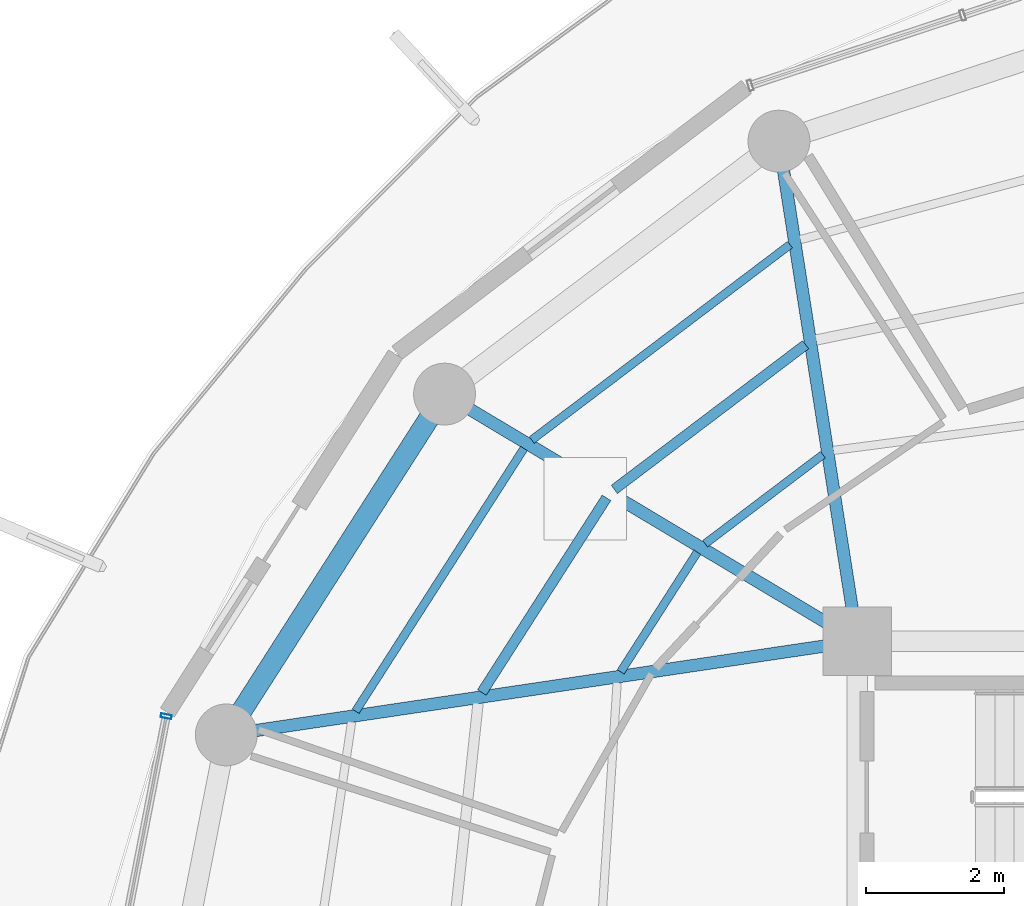
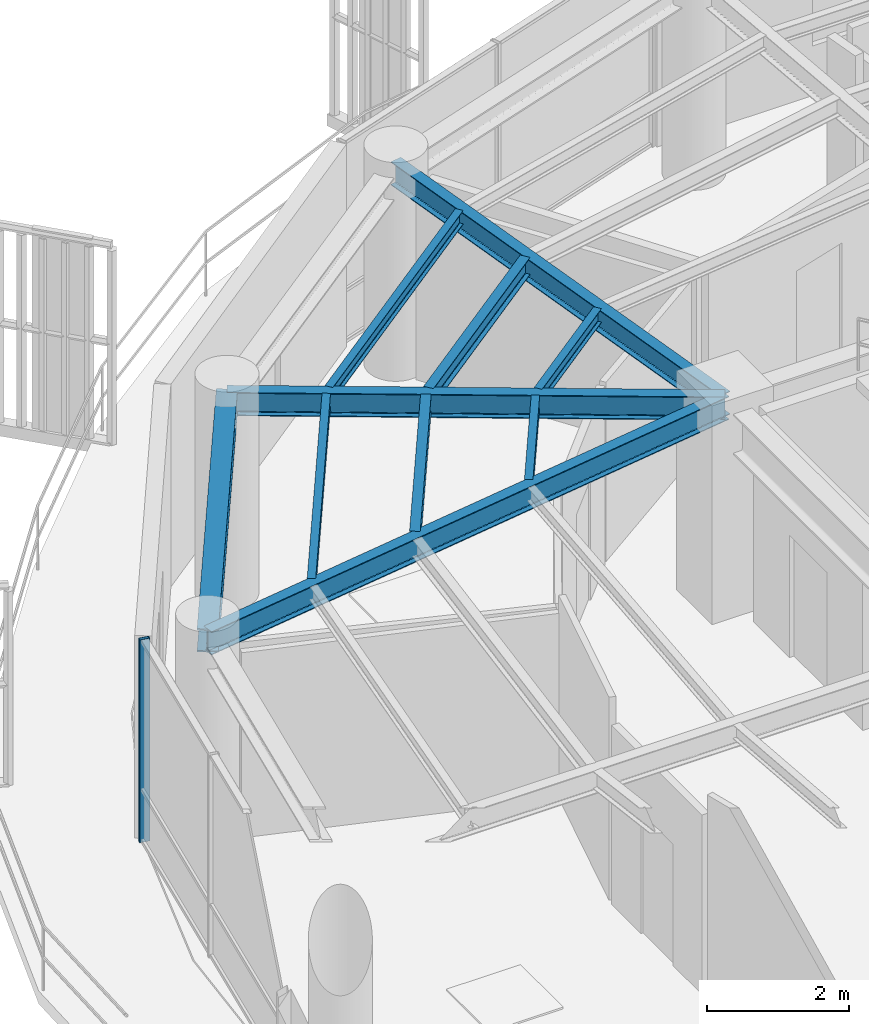
# One storey, part 8 of 23: 10 beams, 1 member, 1 element without a shape of its own.
"""IFC4 building model written with IfcOpenShell, lengths in metres."""

from ifc_helpers import new_model, si_unit, direction, frame, origin, origin_2d, place, context, subcontext, project, spatial, hollow_rectangle, i_section, extrude, material, layer, layer_set, material_profile, profile_set, type_object, element, aggregate, save


model = new_model("IFC4")

# Units and contexts
model_context = context("Model", 3, precision=1e-05, world=origin(), true_north=direction((0.0, 1.0)))
body_context = subcontext(model_context, "Body", "Model", "MODEL_VIEW")
ifc_project = project(units=[si_unit("LENGTHUNIT", "METRE"), si_unit("AREAUNIT", "SQUARE_METRE"), si_unit("VOLUMEUNIT", "CUBIC_METRE"), si_unit("PLANEANGLEUNIT", "RADIAN"), si_unit("MASSUNIT", "GRAM", prefix="KILO")], contexts=[model_context])

# Site, building, storey
site_placement = place(None, origin())
site = spatial("IfcSite", under=ifc_project, at=site_placement, CompositionType="ELEMENT")
building_placement = place(site_placement, origin())
building = spatial("IfcBuilding", under=site, at=building_placement, Name="Kelanora Arch Commons", CompositionType="ELEMENT")
storey_placement = place(building_placement, frame((0.0, 0.0, 252.449951171875)))
storey = spatial("IfcBuildingStorey", under=building, at=storey_placement, Name="L64", CompositionType="ELEMENT", Elevation=252.449951171875)

# Beams
ifc_material_1 = material(Name="Steel S355", Category="steel")
ifc_material_profile_1 = material_profile(ifc_material_1, i_section(OverallWidth=0.14990234375, OverallDepth=0.300048828125, WebThickness=0.007080078125, FlangeThickness=0.0107421875, FilletRadius=0.014892578125, at=origin_2d()), Name="IPE300")
ifc_profile_set_1 = profile_set([ifc_material_profile_1], Name="Steel S355")
beam_type_1 = type_object("IfcBeamType", Name="BM-JST-01", PredefinedType="JOIST", material=ifc_profile_set_1)
beam_1_placement = place(storey_placement, frame((65.248291015625, 69.31201171875, 3.340087890625), z_axis=(-0.797499198801, -0.603320004568, 0.0), x_axis=(0.603320004568, -0.797499198801, 0.0)))
element("IfcBeam", 1, at=beam_1_placement, inside=storey, type_object=beam_type_1, Name="Secondary Chord Joist BJB-12 L64", PredefinedType="JOIST", context=body_context, shape_type="SweptSolid", body=[
    extrude(i_section(OverallWidth=0.14990234375, OverallDepth=0.300048828125, WebThickness=0.007080078125, FlangeThickness=0.0107421875, FilletRadius=0.014892578125, at=origin_2d()), origin(), (0.0, 0.0, 1.0), 3.489013671875),
])
beam_2_placement = place(storey_placement, frame((62.352294921875, 67.084228515625, 3.340087890625), z_axis=(-0.539321586177, -0.842099891155, 0.0), x_axis=(0.842099891155, -0.539321586177, 0.0)))
element("IfcBeam", 2, at=beam_2_placement, inside=storey, type_object=beam_type_1, Name="Secondary Chord Joist BJB-14 L64", PredefinedType="JOIST", context=body_context, shape_type="SweptSolid", body=[
    extrude(i_section(OverallWidth=0.14990234375, OverallDepth=0.300048828125, WebThickness=0.007080078125, FlangeThickness=0.0107421875, FilletRadius=0.014892578125, at=origin_2d()), origin(), (0.0, 0.0, 1.0), 3.361572265625),
])
ifc_material_profile_2 = material_profile(ifc_material_1, i_section(OverallWidth=0.1201171875, OverallDepth=0.239990234375, WebThickness=0.006103515625, FlangeThickness=0.009765625, FilletRadius=0.014892578125, at=origin_2d()), Name="IPE240")
ifc_profile_set_2 = profile_set([ifc_material_profile_2], Name="Steel S355")
beam_type_2 = type_object("IfcBeamType", Name="BM-JST-02", PredefinedType="JOIST", material=ifc_profile_set_2)
beam_3_placement = place(storey_placement, frame((65.4990234375, 67.712158203125, 3.3701171875), z_axis=(-0.797509883882, -0.603305880222, 0.0), x_axis=(0.603305880222, -0.797509883882, 0.0)))
element("IfcBeam", 3, at=beam_3_placement, inside=storey, type_object=beam_type_2, Name="Secondary Chord Joist BJA-12 L64", PredefinedType="JOIST", context=body_context, shape_type="SweptSolid", body=[
    extrude(i_section(OverallWidth=0.1201171875, OverallDepth=0.239990234375, WebThickness=0.006103515625, FlangeThickness=0.009765625, FilletRadius=0.014892578125, at=origin_2d()), origin(), (0.0, 0.0, 1.0), 2.147216796875),
])
beam_4_placement = place(storey_placement, frame((65.020263671875, 70.766357421875, 3.3701171875), z_axis=(-0.79752302984, -0.60328850219, 0.0), x_axis=(0.60328850219, -0.79752302984, 0.0)))
element("IfcBeam", 4, at=beam_4_placement, inside=storey, type_object=beam_type_2, Name="Secondary Chord Joist BJC-12 L64", PredefinedType="JOIST", context=body_context, shape_type="SweptSolid", body=[
    extrude(i_section(OverallWidth=0.1201171875, OverallDepth=0.239990234375, WebThickness=0.006103515625, FlangeThickness=0.009765625, FilletRadius=0.014892578125, at=origin_2d()), origin(), (0.0, 0.0, 1.0), 4.70849609375),
])
beam_5_placement = place(storey_placement, frame((63.6728515625, 66.293701171875, 3.3701171875), z_axis=(-0.539311810315, -0.842106152011, 0.0), x_axis=(0.842106152011, -0.539311810315, 0.0)))
element("IfcBeam", 5, at=beam_5_placement, inside=storey, type_object=beam_type_2, Name="Secondary Chord Joist BJA-14 L64", PredefinedType="JOIST", context=body_context, shape_type="SweptSolid", body=[
    extrude(i_section(OverallWidth=0.1201171875, OverallDepth=0.239990234375, WebThickness=0.006103515625, FlangeThickness=0.009765625, FilletRadius=0.014892578125, at=origin_2d()), origin(), (0.0, 0.0, 1.0), 2.06640625),
])
beam_6_placement = place(storey_placement, frame((61.151611328125, 67.802978515625, 3.3701171875), z_axis=(-0.539288735289, -0.842120929552, 0.0), x_axis=(0.842120929552, -0.539288735289, 0.0)))
element("IfcBeam", 6, at=beam_6_placement, inside=storey, type_object=beam_type_2, Name="Secondary Chord Joist BJC-14 L64", PredefinedType="JOIST", context=body_context, shape_type="SweptSolid", body=[
    extrude(i_section(OverallWidth=0.1201171875, OverallDepth=0.239990234375, WebThickness=0.006103515625, FlangeThickness=0.009765625, FilletRadius=0.014892578125, at=origin_2d()), origin(), (0.0, 0.0, 1.0), 4.538818359375),
])
ifc_material_profile_3 = material_profile(ifc_material_1, i_section(OverallWidth=0.179931640625, OverallDepth=0.39990234375, WebThickness=0.008544921875, FlangeThickness=0.013427734375, FilletRadius=0.02099609375, at=origin_2d()), Name="IPE400")
ifc_profile_set_3 = profile_set([ifc_material_profile_3], Name="Steel S355")
beam_type_3 = type_object("IfcBeamType", Name="BM-RAD-Z5", PredefinedType="BEAM", material=ifc_profile_set_3)
beam_7_placement = place(storey_placement, frame((66.0, 65.0, 3.2900390625), z_axis=(-0.154855424129, 0.987937142544, 0.0), x_axis=(-0.987937142544, -0.154855424129, 0.0)))
element("IfcBeam", 7, at=beam_7_placement, inside=storey, type_object=beam_type_3, Name="Radial Floor Girder BR-12 L64", PredefinedType="BEAM", context=body_context, shape_type="SweptSolid", body=[
    extrude(i_section(OverallWidth=0.179931640625, OverallDepth=0.39990234375, WebThickness=0.008544921875, FlangeThickness=0.013427734375, FilletRadius=0.02099609375, at=origin_2d()), origin(), (0.0, 0.0, 1.0), 7.361083984375),
])
beam_8_placement = place(storey_placement, frame((66.0, 65.0, 3.2900390625), z_axis=(-0.858062005744, 0.513546097541, 0.0), x_axis=(-0.513546097541, -0.858062005744, 0.0)))
element("IfcBeam", 8, at=beam_8_placement, inside=storey, type_object=beam_type_3, Name="Radial Floor Girder BR-14 L64", PredefinedType="BEAM", context=body_context, shape_type="SweptSolid", body=[
    extrude(i_section(OverallWidth=0.179931640625, OverallDepth=0.39990234375, WebThickness=0.008544921875, FlangeThickness=0.013427734375, FilletRadius=0.02099609375, at=origin_2d()), origin(), (0.0, 0.0, 1.0), 6.99658203125),
])
beam_9_placement = place(storey_placement, frame((66.0, 65.0, 3.2900390625), z_axis=(-0.989142485564, -0.146959665395, 0.0), x_axis=(0.146959665395, -0.989142485564, 0.0)))
element("IfcBeam", 9, at=beam_9_placement, inside=storey, type_object=beam_type_3, Name="Radial Floor Girder BR-16 L64", PredefinedType="BEAM", context=body_context, shape_type="SweptSolid", body=[
    extrude(i_section(OverallWidth=0.179931640625, OverallDepth=0.39990234375, WebThickness=0.008544921875, FlangeThickness=0.013427734375, FilletRadius=0.02099609375, at=origin_2d()), origin(), (0.0, 0.0, 1.0), 9.2783203125),
])
ifc_material_profile_4 = material_profile(ifc_material_1, i_section(OverallWidth=0.300048828125, OverallDepth=0.39990234375, WebThickness=0.013427734375, FlangeThickness=0.02392578125, FilletRadius=0.027099609375, at=origin_2d()), Name="HEB400")
ifc_profile_set_4 = profile_set([ifc_material_profile_4], Name="Steel S355")
beam_type_4 = type_object("IfcBeamType", Name="BM-SPN-Z4", PredefinedType="SPANDREL", material=ifc_profile_set_4)
beam_10_placement = place(storey_placement, frame((59.99658203125, 68.593017578125, 3.2900390625), z_axis=(-0.539280851353, -0.842125978322, 0.0), x_axis=(0.842125978322, -0.539280851353, 0.0)))
element("IfcBeam", 10, at=beam_10_placement, inside=storey, type_object=beam_type_4, Name="Perimeter Spandrel Beam BS-14 L64", PredefinedType="SPANDREL", context=body_context, shape_type="SweptSolid", body=[
    extrude(i_section(OverallWidth=0.300048828125, OverallDepth=0.39990234375, WebThickness=0.013427734375, FlangeThickness=0.02392578125, FilletRadius=0.027099609375, at=origin_2d()), origin(), (0.0, 0.0, 1.0), 5.8857421875),
])

# Curtain wall, member
ifc_material_2 = material(Name="Terracotta ceramic-fritted low-E glass and aluminium", Category="masonry")
ifc_layer = layer(ifc_material_2, 0.18994140625)
ifc_layer_set = layer_set([ifc_layer], Name="Terracotta ceramic-fritted low-E glass and aluminium")
curtain_wall_type = type_object("IfcCurtainWallType", Name="CW-SYS-03", PredefinedType="NOTDEFINED", material=ifc_layer_set)
curtain_wall_placement = place(storey_placement, origin())
curtain_wall = element("IfcCurtainWall", 11, at=curtain_wall_placement, inside=storey, type_object=curtain_wall_type, Name="Unitised Curtain Wall L64-B08", PredefinedType="NOTDEFINED")
ifc_material_3 = material(Name="Powder-coated aluminium terracotta", Category="masonry")
ifc_material_profile_5 = material_profile(ifc_material_3, hollow_rectangle(XDim=0.159912109375, YDim=0.06005859375, WallThickness=0.0048828125, InnerFilletRadius=0.0048828125, OuterFilletRadius=0.010009765625, at=origin_2d()), Name="CWM160x60")
ifc_profile_set_5 = profile_set([ifc_material_profile_5], Name="Powder-coated aluminium terracotta")
member_type = type_object("IfcMemberType", Name="CWM-STD", PredefinedType="MULLION", material=ifc_profile_set_5)
member_placement = place(storey_placement, frame((55.94921875, 63.906982421875, 0.0), z_axis=(0.0, 0.0, 1.0), x_axis=(0.981595542501, -0.190971701941, 0.0)))
member = element("IfcMember", 12, at=member_placement, type_object=member_type, Name="CW-03 mullion 1", PredefinedType="MULLION", context=body_context, shape_type="SweptSolid", body=[
    extrude(hollow_rectangle(XDim=0.159912109375, YDim=0.06005859375, WallThickness=0.0048828125, InnerFilletRadius=0.0048828125, OuterFilletRadius=0.010009765625, at=origin_2d()), origin(), (0.0, 0.0, 1.0), 3.47509765625),
])
aggregate(curtain_wall, [member])

save(model, "model.ifc")
